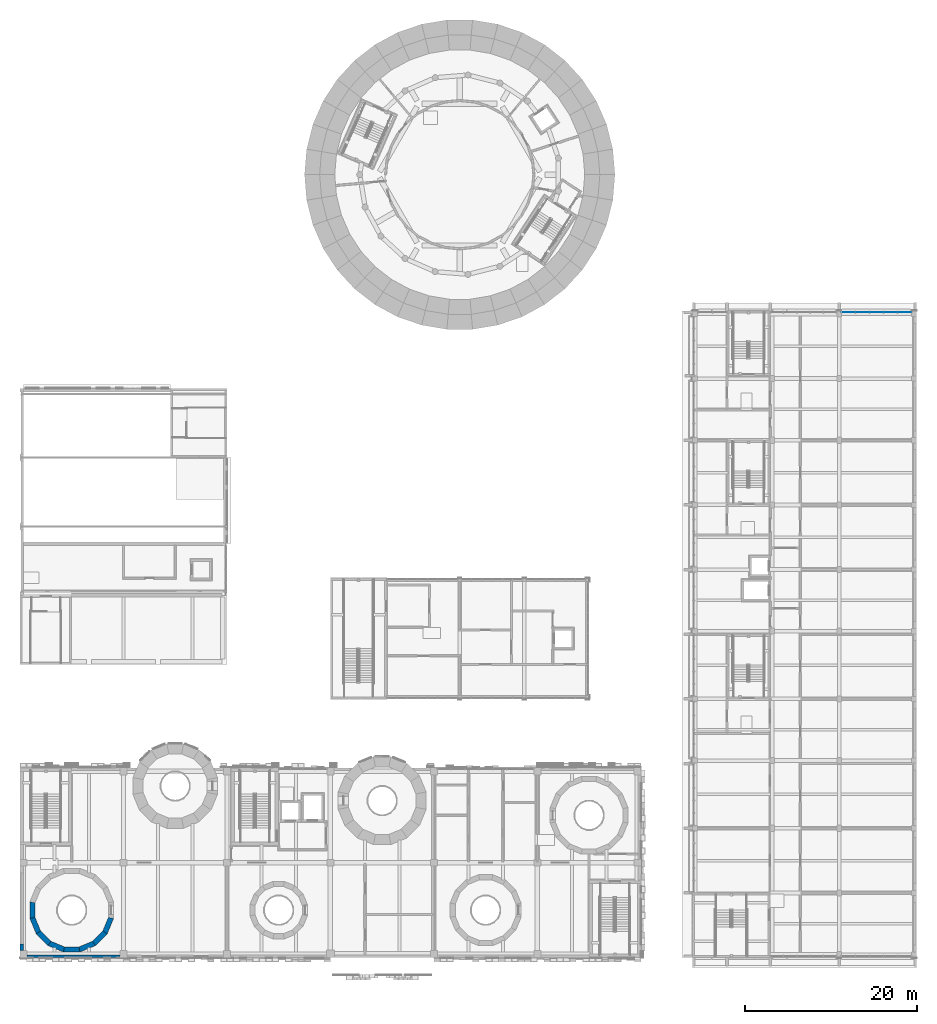
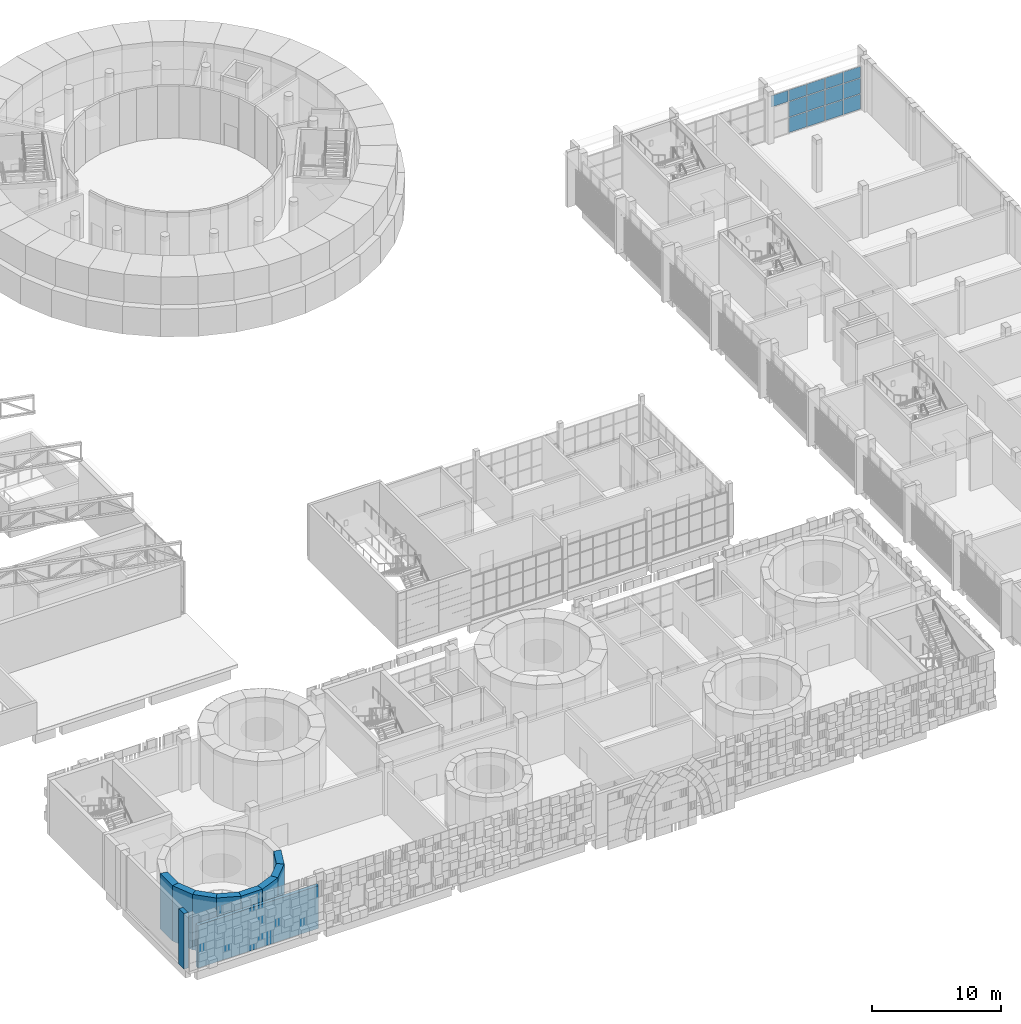
# One storey, part 63 of 125: 13 plates, 10 walls, 1 element without a shape of its own.
"""IFC4 building model written with IfcOpenShell, lengths in metres."""

from ifc_helpers import new_model, si_unit, direction, frame, frame_2d, origin, origin_2d, place, context, subcontext, project, spatial, polyline, rectangle, outline, extrude, material, layer, layer_set, type_object, element, aggregate, save


model = new_model("IFC4")

# Units and contexts
model_context = context("Model", 3, precision=1e-05, world=origin(), true_north=direction((0.0, 1.0)))
body_context = subcontext(model_context, "Body", "Model", "MODEL_VIEW")
ifc_project = project(units=[si_unit("LENGTHUNIT", "METRE"), si_unit("AREAUNIT", "SQUARE_METRE"), si_unit("VOLUMEUNIT", "CUBIC_METRE"), si_unit("PLANEANGLEUNIT", "RADIAN"), si_unit("MASSUNIT", "GRAM", prefix="KILO")], contexts=[model_context])

# Site, building, storey
site_placement = place(None, origin())
site = spatial("IfcSite", under=ifc_project, at=site_placement, CompositionType="ELEMENT")
building_placement = place(site_placement, origin())
building = spatial("IfcBuilding", under=site, at=building_placement, Name="Sun Court Science Centre", CompositionType="ELEMENT")
storey_placement = place(building_placement, frame((0.0, 0.0, 6.0)))
storey = spatial("IfcBuildingStorey", under=building, at=storey_placement, Name="L01", CompositionType="ELEMENT", Elevation=6.0)

# Curtain wall, plates
ifc_material_1 = material(Name="Aluminium EN AW-6063 T6", Category="aluminium")
curtain_wall_type = type_object("IfcCurtainWallType", Name="Laboratory tall bay curtain wall 1500", PredefinedType="NOTDEFINED", material=ifc_material_1)
curtain_wall_placement = place(storey_placement, origin())
curtain_wall = element("IfcCurtainWall", 1, at=curtain_wall_placement, inside=storey, type_object=curtain_wall_type, Name="Curtain wall V4 N L01 03", PredefinedType="NOTDEFINED")
ifc_material_2 = material(Name="Solar-control glass", Category="glass")
ifc_layer_1 = layer(ifc_material_2, 0.028076171875)
ifc_layer_set_1 = layer_set([ifc_layer_1], Name="Solar-control glass")
plate_type = type_object("IfcPlateType", Name="Solar-control glazing panel 8-12-8", PredefinedType="CURTAIN_PANEL", material=ifc_layer_set_1)
plate_1_placement = place(storey_placement, frame((97.695068359375, 80.85009765625, 0.06005859375), z_axis=(0.0, 0.0, 1.0), x_axis=(1.0, 0.0, 0.0)))
plate_1 = element("IfcPlate", 2, at=plate_1_placement, type_object=plate_type, Name="CW2-66 panel 2.1", PredefinedType="CURTAIN_PANEL", context=body_context, shape_type="SweptSolid", body=[
    extrude(rectangle(XDim=1.570068359375, YDim=0.028076171875, at=origin_2d()), origin(), (0.0, 0.0, 1.0), 1.409912109375),
])
plate_2_placement = place(storey_placement, frame((99.324951171875, 80.85009765625, 0.06005859375), z_axis=(0.0, 0.0, 1.0), x_axis=(1.0, 0.0, 0.0)))
plate_2 = element("IfcPlate", 3, at=plate_2_placement, type_object=plate_type, Name="CW2-66 panel 3.1", PredefinedType="CURTAIN_PANEL", context=body_context, shape_type="SweptSolid", body=[
    extrude(rectangle(XDim=1.570068359375, YDim=0.028076171875, at=origin_2d()), origin(), (0.0, 0.0, 1.0), 1.409912109375),
])
plate_3_placement = place(storey_placement, frame((100.955078125, 80.85009765625, 0.06005859375), z_axis=(0.0, 0.0, 1.0), x_axis=(1.0, 0.0, 0.0)))
plate_3 = element("IfcPlate", 4, at=plate_3_placement, type_object=plate_type, Name="CW2-66 panel 4.1", PredefinedType="CURTAIN_PANEL", context=body_context, shape_type="SweptSolid", body=[
    extrude(rectangle(XDim=1.570068359375, YDim=0.028076171875, at=origin_2d()), origin(), (0.0, 0.0, 1.0), 1.409912109375),
])
plate_4_placement = place(storey_placement, frame((102.570068359375, 80.85009765625, 0.06005859375), z_axis=(0.0, 0.0, 1.0), x_axis=(1.0, 0.0, 0.0)))
plate_4 = element("IfcPlate", 5, at=plate_4_placement, type_object=plate_type, Name="CW2-66 panel 5.1", PredefinedType="CURTAIN_PANEL", context=body_context, shape_type="SweptSolid", body=[
    extrude(rectangle(XDim=1.5400390625, YDim=0.028076171875, at=origin_2d()), origin(), (0.0, 0.0, 1.0), 1.409912109375),
])
plate_5_placement = place(storey_placement, frame((97.695068359375, 80.85009765625, 1.530029296875), z_axis=(0.0, 0.0, 1.0), x_axis=(1.0, 0.0, 0.0)))
plate_5 = element("IfcPlate", 6, at=plate_5_placement, type_object=plate_type, Name="CW2-66 panel 2.2", PredefinedType="CURTAIN_PANEL", context=body_context, shape_type="SweptSolid", body=[
    extrude(rectangle(XDim=1.570068359375, YDim=0.028076171875, at=origin_2d()), origin(), (0.0, 0.0, 1.0), 1.43994140625),
])
plate_6_placement = place(storey_placement, frame((99.324951171875, 80.85009765625, 1.530029296875), z_axis=(0.0, 0.0, 1.0), x_axis=(1.0, 0.0, 0.0)))
plate_6 = element("IfcPlate", 7, at=plate_6_placement, type_object=plate_type, Name="CW2-66 panel 3.2", PredefinedType="CURTAIN_PANEL", context=body_context, shape_type="SweptSolid", body=[
    extrude(rectangle(XDim=1.570068359375, YDim=0.028076171875, at=origin_2d()), origin(), (0.0, 0.0, 1.0), 1.43994140625),
])
plate_7_placement = place(storey_placement, frame((100.955078125, 80.85009765625, 1.530029296875), z_axis=(0.0, 0.0, 1.0), x_axis=(1.0, 0.0, 0.0)))
plate_7 = element("IfcPlate", 8, at=plate_7_placement, type_object=plate_type, Name="CW2-66 panel 4.2", PredefinedType="CURTAIN_PANEL", context=body_context, shape_type="SweptSolid", body=[
    extrude(rectangle(XDim=1.570068359375, YDim=0.028076171875, at=origin_2d()), origin(), (0.0, 0.0, 1.0), 1.43994140625),
])
plate_8_placement = place(storey_placement, frame((102.570068359375, 80.85009765625, 1.530029296875), z_axis=(0.0, 0.0, 1.0), x_axis=(1.0, 0.0, 0.0)))
plate_8 = element("IfcPlate", 9, at=plate_8_placement, type_object=plate_type, Name="CW2-66 panel 5.2", PredefinedType="CURTAIN_PANEL", context=body_context, shape_type="SweptSolid", body=[
    extrude(rectangle(XDim=1.5400390625, YDim=0.028076171875, at=origin_2d()), origin(), (0.0, 0.0, 1.0), 1.43994140625),
])
plate_9_placement = place(storey_placement, frame((96.080078125, 80.85009765625, 3.030029296875), z_axis=(0.0, 0.0, 1.0), x_axis=(1.0, 0.0, 0.0)))
plate_9 = element("IfcPlate", 10, at=plate_9_placement, type_object=plate_type, Name="CW2-66 panel 1.3", PredefinedType="CURTAIN_PANEL", context=body_context, shape_type="SweptSolid", body=[
    extrude(rectangle(XDim=1.5400390625, YDim=0.028076171875, at=origin_2d()), origin(), (0.0, 0.0, 1.0), 1.06005859375),
])
plate_10_placement = place(storey_placement, frame((97.695068359375, 80.85009765625, 3.030029296875), z_axis=(0.0, 0.0, 1.0), x_axis=(1.0, 0.0, 0.0)))
plate_10 = element("IfcPlate", 11, at=plate_10_placement, type_object=plate_type, Name="CW2-66 panel 2.3", PredefinedType="CURTAIN_PANEL", context=body_context, shape_type="SweptSolid", body=[
    extrude(rectangle(XDim=1.570068359375, YDim=0.028076171875, at=origin_2d()), origin(), (0.0, 0.0, 1.0), 1.06005859375),
])
plate_11_placement = place(storey_placement, frame((99.324951171875, 80.85009765625, 3.030029296875), z_axis=(0.0, 0.0, 1.0), x_axis=(1.0, 0.0, 0.0)))
plate_11 = element("IfcPlate", 12, at=plate_11_placement, type_object=plate_type, Name="CW2-66 panel 3.3", PredefinedType="CURTAIN_PANEL", context=body_context, shape_type="SweptSolid", body=[
    extrude(rectangle(XDim=1.570068359375, YDim=0.028076171875, at=origin_2d()), origin(), (0.0, 0.0, 1.0), 1.06005859375),
])
plate_12_placement = place(storey_placement, frame((100.955078125, 80.85009765625, 3.030029296875), z_axis=(0.0, 0.0, 1.0), x_axis=(1.0, 0.0, 0.0)))
plate_12 = element("IfcPlate", 13, at=plate_12_placement, type_object=plate_type, Name="CW2-66 panel 4.3", PredefinedType="CURTAIN_PANEL", context=body_context, shape_type="SweptSolid", body=[
    extrude(rectangle(XDim=1.570068359375, YDim=0.028076171875, at=origin_2d()), origin(), (0.0, 0.0, 1.0), 1.06005859375),
])
plate_13_placement = place(storey_placement, frame((102.570068359375, 80.85009765625, 3.030029296875), z_axis=(0.0, 0.0, 1.0), x_axis=(1.0, 0.0, 0.0)))
plate_13 = element("IfcPlate", 14, at=plate_13_placement, type_object=plate_type, Name="CW2-66 panel 5.3", PredefinedType="CURTAIN_PANEL", context=body_context, shape_type="SweptSolid", body=[
    extrude(rectangle(XDim=1.5400390625, YDim=0.028076171875, at=origin_2d()), origin(), (0.0, 0.0, 1.0), 1.06005859375),
])
aggregate(curtain_wall, [plate_1, plate_2, plate_3, plate_4, plate_5, plate_6, plate_7, plate_8, plate_9, plate_10, plate_11, plate_12, plate_13])

# Walls
ifc_material_3 = material(Name="Clay masonry", Category="masonry")
ifc_layer_2 = layer(ifc_material_3, 0.300048828125)
ifc_layer_set_2 = layer_set([ifc_layer_2], Name="Clay masonry")
wall_type_1 = type_object("IfcWallType", Name="Clay masonry infill wall 300", PredefinedType="SOLIDWALL", material=ifc_layer_set_2)
wall_1_placement = place(storey_placement, frame((11.60009765625, 6.14990234375, 0.0), z_axis=(0.0, 0.0, 1.0), x_axis=(-1.0, 0.0, 0.0)))
element("IfcWall", 15, at=wall_1_placement, inside=storey, type_object=wall_type_1, Name="External infill wall L01 south face 06", PredefinedType="SOLIDWALL", context=body_context, shape_type="SweptSolid", body=[
    extrude(rectangle(XDim=10.800048828125, YDim=0.300048828125, at=frame_2d((5.39990234375, 0.0))), origin(), (0.0, 0.0, 1.0), 4.050048828125),
])
ifc_material_4 = material(Name="Concrete C30/37", Category="concrete")
ifc_layer_3 = layer(ifc_material_4, 0.60009765625)
ifc_layer_set_3 = layer_set([ifc_layer_3], Name="Concrete C30/37")
wall_type_2 = type_object("IfcWallType", Name="RC cone ring wall 600", PredefinedType="SHEAR", material=ifc_layer_set_3)
wall_2_placement = place(storey_placement, frame((1.445068359375, 12.465576171875, -0.300048828125), z_axis=(0.0, 0.0, 1.0), x_axis=(0.0, -1.0, 0.0)))
element("IfcWall", 16, at=wall_2_placement, inside=storey, type_object=wall_type_2, Name="Cone 1 ring wall L01 segment 8", PredefinedType="SHEAR", context=body_context, shape_type="SweptSolid", body=[
    extrude(outline(polyline([(-0.000244140625, -0.300048828125), (1.931396484375, -0.300048828125), (1.811767578125, 0.300048828125), (0.119384765625, 0.300048828125), (-0.000244140625, -0.300048828125)])), origin(), (0.0, 0.0, 1.0), 5.25),
])
wall_3_placement = place(storey_placement, frame((1.42236328125, 10.649169921875, -0.300048828125), z_axis=(0.0, 0.0, 1.0), x_axis=(0.382630895081, -0.923901292417, 0.0)))
element("IfcWall", 17, at=wall_3_placement, inside=storey, type_object=wall_type_2, Name="Cone 1 ring wall L01 segment 9", PredefinedType="SHEAR", context=body_context, shape_type="SweptSolid", body=[
    extrude(outline(polyline([(0.0, -0.30029296875), (1.931396484375, -0.2998046875), (1.81201171875, 0.300048828125), (0.119140625, 0.300048828125), (0.0, -0.30029296875)])), origin(), (0.0, 0.0, 1.0), 5.25),
])
wall_4_placement = place(storey_placement, frame((2.096435546875, 8.962158203125, -0.300048828125), z_axis=(0.0, 0.0, 1.0), x_axis=(0.707106781187, -0.707106781187, 0.0)))
element("IfcWall", 18, at=wall_4_placement, inside=storey, type_object=wall_type_2, Name="Cone 1 ring wall L01 segment 10", PredefinedType="SHEAR", context=body_context, shape_type="SweptSolid", body=[
    extrude(outline(polyline([(0.0, -0.300048828125), (1.931396484375, -0.300048828125), (1.81201171875, 0.2998046875), (0.119384765625, 0.2998046875), (0.0, -0.300048828125)])), origin(), (0.0, 0.0, 1.0), 5.25),
])
wall_5_placement = place(storey_placement, frame((3.36474609375, 7.661376953125, -0.300048828125), z_axis=(0.0, 0.0, 1.0), x_axis=(0.923901292417, -0.382630895081, 0.0)))
element("IfcWall", 19, at=wall_5_placement, inside=storey, type_object=wall_type_2, Name="Cone 1 ring wall L01 segment 11", PredefinedType="SHEAR", context=body_context, shape_type="SweptSolid", body=[
    extrude(outline(polyline([(0.0, -0.2998046875), (1.931396484375, -0.30029296875), (1.812255859375, 0.300048828125), (0.119384765625, 0.300048828125), (0.0, -0.2998046875)])), origin(), (0.0, 0.0, 1.0), 5.25),
])
wall_6_placement = place(storey_placement, frame((5.034423828125, 6.945068359375, -0.300048828125), z_axis=(0.0, 0.0, 1.0), x_axis=(1.0, 0.0, 0.0)))
element("IfcWall", 20, at=wall_6_placement, inside=storey, type_object=wall_type_2, Name="Cone 1 ring wall L01 segment 12", PredefinedType="SHEAR", context=body_context, shape_type="SweptSolid", body=[
    extrude(outline(polyline([(-0.000244140625, -0.300048828125), (1.931396484375, -0.300048828125), (1.811767578125, 0.300048828125), (0.119384765625, 0.300048828125), (-0.000244140625, -0.300048828125)])), origin(), (0.0, 0.0, 1.0), 5.25),
])
wall_7_placement = place(storey_placement, frame((6.850830078125, 6.92236328125, -0.300048828125), z_axis=(0.0, 0.0, 1.0), x_axis=(0.923901292417, 0.382630895081, 0.0)))
element("IfcWall", 21, at=wall_7_placement, inside=storey, type_object=wall_type_2, Name="Cone 1 ring wall L01 segment 13", PredefinedType="SHEAR", context=body_context, shape_type="SweptSolid", body=[
    extrude(outline(polyline([(0.0, -0.30029296875), (1.931396484375, -0.2998046875), (1.81201171875, 0.300048828125), (0.119140625, 0.300048828125), (0.0, -0.30029296875)])), origin(), (0.0, 0.0, 1.0), 5.25),
])
wall_8_placement = place(storey_placement, frame((8.537841796875, 7.596435546875, -0.300048828125), z_axis=(0.0, 0.0, 1.0), x_axis=(0.707106781187, 0.707106781187, 0.0)))
element("IfcWall", 22, at=wall_8_placement, inside=storey, type_object=wall_type_2, Name="Cone 1 ring wall L01 segment 14", PredefinedType="SHEAR", context=body_context, shape_type="SweptSolid", body=[
    extrude(outline(polyline([(0.0, -0.300048828125), (1.931396484375, -0.300048828125), (1.81201171875, 0.2998046875), (0.119384765625, 0.2998046875), (0.0, -0.300048828125)])), origin(), (0.0, 0.0, 1.0), 5.25),
])
wall_9_placement = place(storey_placement, frame((9.838623046875, 8.86474609375, -0.300048828125), z_axis=(0.0, 0.0, 1.0), x_axis=(0.382630895081, 0.923901292417, 0.0)))
element("IfcWall", 23, at=wall_9_placement, inside=storey, type_object=wall_type_2, Name="Cone 1 ring wall L01 segment 15", PredefinedType="SHEAR", context=body_context, shape_type="SweptSolid", body=[
    extrude(outline(polyline([(0.0, -0.2998046875), (1.931396484375, -0.30029296875), (1.812255859375, 0.300048828125), (0.119384765625, 0.300048828125), (0.0, -0.2998046875)])), origin(), (0.0, 0.0, 1.0), 5.25),
])
ifc_material_5 = material(Name="Concrete C30/37", Category="concrete")
ifc_layer_4 = layer(ifc_material_5, 0.39990234375)
ifc_layer_set_4 = layer_set([ifc_layer_4], Name="Concrete C30/37")
wall_type_3 = type_object("IfcWallType", Name="RC party wall exterior 400", PredefinedType="SOLIDWALL", material=ifc_layer_set_4)
wall_10_placement = place(storey_placement, frame((0.199951171875, 6.800048828125, -0.300048828125), z_axis=(0.0, 0.0, 1.0), x_axis=(0.0, 1.0, 0.0)))
element("IfcWall", 24, at=wall_10_placement, inside=storey, type_object=wall_type_3, Name="West party wall L01", PredefinedType="SOLIDWALL", context=body_context, shape_type="SweptSolid", body=[
    extrude(rectangle(XDim=0.800048828125, YDim=0.39990234375, at=frame_2d((0.39990234375, 0.0))), origin(), (0.0, 0.0, 1.0), 5.25),
])

save(model, "model.ifc")
